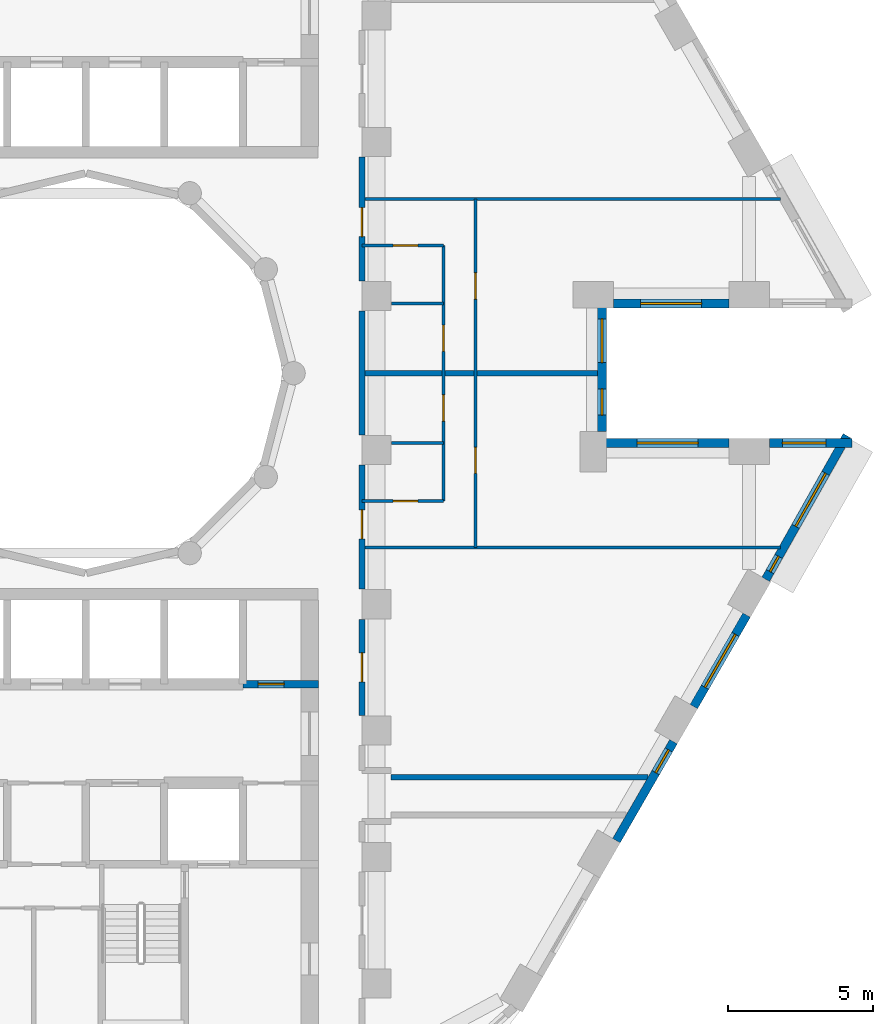
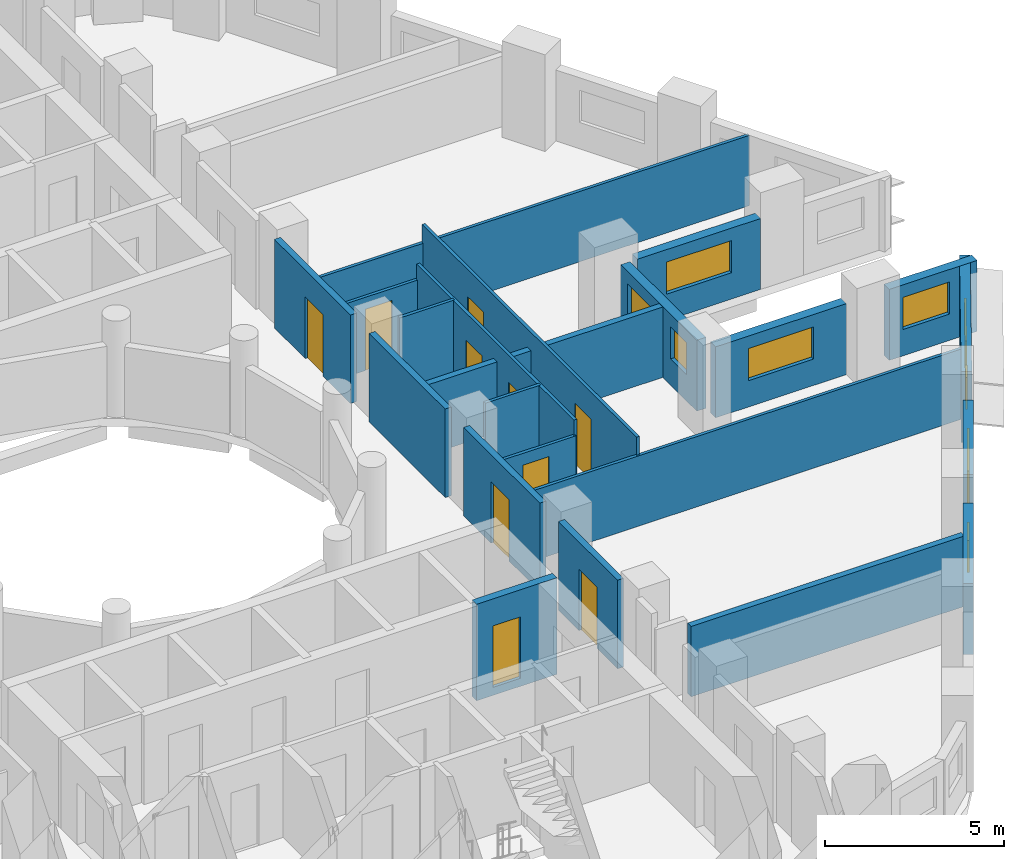
# One storey, part 6 of 12: 22 walls, 10 doors, 9 windows, 19 openings.
"""IFC4 building model written with IfcOpenShell, lengths in metres."""

from ifc_helpers import new_model, si_unit, direction, frame, frame_2d, origin, place, context, subcontext, project, spatial, rectangle, extrude, material, layer, layer_set, type_object, element, fill, save


model = new_model("IFC4")

# Units and contexts
model_context = context("Model", 3, precision=1e-05, world=origin(), true_north=direction((0.0, 1.0)))
body_context = subcontext(model_context, "Body", "Model", "MODEL_VIEW")
ifc_project = project(units=[si_unit("LENGTHUNIT", "METRE"), si_unit("AREAUNIT", "SQUARE_METRE"), si_unit("VOLUMEUNIT", "CUBIC_METRE"), si_unit("PLANEANGLEUNIT", "RADIAN"), si_unit("MASSUNIT", "GRAM", prefix="KILO")], contexts=[model_context])

# Site, building, storey
site_placement = place(None, origin())
site = spatial("IfcSite", under=ifc_project, at=site_placement, CompositionType="ELEMENT")
building_placement = place(site_placement, origin())
building = spatial("IfcBuilding", under=site, at=building_placement, Name="Nakaniwa Court", CompositionType="ELEMENT")
storey_placement = place(building_placement, frame((0.0, 0.0, 90.89990234375)))
storey = spatial("IfcBuildingStorey", under=building, at=storey_placement, Name="L23", CompositionType="ELEMENT", Elevation=90.89990234375)

# Wall, opening, door
ifc_material_1 = material(Name="Acoustic double stud partition")
ifc_layer_1 = layer(ifc_material_1, 0.199951171875)
ifc_layer_set_1 = layer_set([ifc_layer_1], Name="Acoustic double stud partition")
wall_type_1 = type_object("IfcWallType", Name="Acoustic double stud partition 200", PredefinedType="PARTITIONING", material=ifc_layer_set_1)
wall_1_placement = place(storey_placement, frame((89.5, 71.532958984375, 0.0), z_axis=(0.0, 0.0, 1.0), x_axis=(0.0, -1.0, 0.0)))
wall_1 = element("IfcWall", 1, at=wall_1_placement, inside=storey, type_object=wall_type_1, Name="Partition PW-073", PredefinedType="PARTITIONING", context=body_context, shape_type="SweptSolid", body=[
    extrude(rectangle(XDim=3.31591796875, YDim=0.199951171875, at=frame_2d((1.657958984375, 0.0))), origin(), (0.0, 0.0, 1.0), 3.025146484375),
])
opening_1_placement = place(wall_1_placement, frame((1.157958984375, 0.0, 0.0)))
opening_1 = element("IfcOpeningElement", 2, at=opening_1_placement, cuts=wall_1, Name="Opening D-02-02", PredefinedType="OPENING", context=body_context, shape_type="SweptSolid", body=[
    extrude(rectangle(XDim=1.0, YDim=2.10009765625, at=frame_2d((0.5, 1.050048828125))), frame((0.0, 0.10986328125, 0.0), z_axis=(0.0, -1.0, 0.0), x_axis=(1.0, 0.0, 0.0)), (0.0, 0.0, 1.0), 0.219970703125),
])
ifc_material_2 = material(Name="Solid core timber door set, black veneer", Category="wood")
door_type_1 = type_object("IfcDoorType", Name="Internal door 1000", OperationType="NOTDEFINED", PredefinedType="DOOR", material=ifc_material_2)
door_1_placement = place(opening_1_placement, origin())
door_1 = element("IfcDoor", 3, at=door_1_placement, inside=storey, type_object=door_type_1, Name="Door D-02-02 L23-028", OperationType="SINGLE_SWING_LEFT", OverallHeight=2.10009765625, OverallWidth=1.0, PredefinedType="DOOR", context=body_context, shape_type="SweptSolid", body=[
    extrude(rectangle(XDim=1.0, YDim=2.10009765625, at=frame_2d((0.5, 1.050048828125))), frame((0.0, 0.02490234375, 0.0), z_axis=(0.0, -1.0, 0.0), x_axis=(1.0, 0.0, 0.0)), (0.0, 0.0, 1.0), 0.050048828125),
])
fill(opening_1, door_1)

wall_2_placement = place(storey_placement, frame((89.5, 76.8330078125, 0.0), z_axis=(0.0, 0.0, 1.0), x_axis=(0.0, -1.0, 0.0)))
wall_2 = element("IfcWall", 4, at=wall_2_placement, inside=storey, type_object=wall_type_1, Name="Partition PW-074", PredefinedType="PARTITIONING", context=body_context, shape_type="SweptSolid", body=[
    extrude(rectangle(XDim=4.26611328125, YDim=0.199951171875, at=frame_2d((2.133056640625, 0.0))), origin(), (0.0, 0.0, 1.0), 3.025146484375),
])
opening_2_placement = place(wall_2_placement, frame((1.532958984375, 0.0, 0.0)))
opening_2 = element("IfcOpeningElement", 5, at=opening_2_placement, cuts=wall_2, Name="Opening D-01-01", PredefinedType="OPENING", context=body_context, shape_type="SweptSolid", body=[
    extrude(rectangle(XDim=1.0, YDim=2.10009765625, at=frame_2d((0.5, 1.050048828125))), frame((0.0, 0.10986328125, 0.0), z_axis=(0.0, -1.0, 0.0), x_axis=(1.0, 0.0, 0.0)), (0.0, 0.0, 1.0), 0.219970703125),
])
door_type_2 = type_object("IfcDoorType", Name="Flat entrance door 1000", OperationType="NOTDEFINED", PredefinedType="DOOR", material=ifc_material_2)
door_2_placement = place(opening_2_placement, origin())
door_2 = element("IfcDoor", 6, at=door_2_placement, inside=storey, type_object=door_type_2, Name="Door D-01-01 L23-029", OperationType="SINGLE_SWING_RIGHT", OverallHeight=2.10009765625, OverallWidth=1.0, PredefinedType="DOOR", context=body_context, shape_type="SweptSolid", body=[
    extrude(rectangle(XDim=1.0, YDim=2.10009765625, at=frame_2d((0.5, 1.050048828125))), frame((0.0, 0.02490234375, 0.0), z_axis=(0.0, -1.0, 0.0), x_axis=(1.0, 0.0, 0.0)), (0.0, 0.0, 1.0), 0.050048828125),
])
fill(opening_2, door_2)

# Wall
wall_3_placement = place(storey_placement, frame((89.5, 77.866943359375, 0.0), z_axis=(0.0, 0.0, 1.0), x_axis=(0.0, 1.0, 0.0)))
element("IfcWall", 7, at=wall_3_placement, inside=storey, type_object=wall_type_1, Name="Partition PW-075", PredefinedType="PARTITIONING", context=body_context, shape_type="SweptSolid", body=[
    extrude(rectangle(XDim=4.26611328125, YDim=0.199951171875, at=frame_2d((2.133056640625, 0.0))), origin(), (0.0, 0.0, 1.0), 3.025146484375),
])

# Wall, opening, door
wall_4_placement = place(storey_placement, frame((89.5, 87.43310546875, 0.0), z_axis=(0.0, 0.0, 1.0), x_axis=(0.0, -1.0, 0.0)))
wall_4 = element("IfcWall", 8, at=wall_4_placement, inside=storey, type_object=wall_type_1, Name="Partition PW-076", PredefinedType="PARTITIONING", context=body_context, shape_type="SweptSolid", body=[
    extrude(rectangle(XDim=4.26611328125, YDim=0.199951171875, at=frame_2d((2.133056640625, 0.0))), origin(), (0.0, 0.0, 1.0), 3.025146484375),
])
opening_3_placement = place(wall_4_placement, frame((1.73291015625, 0.0, 0.0)))
opening_3 = element("IfcOpeningElement", 9, at=opening_3_placement, cuts=wall_4, Name="Opening D-01-02", PredefinedType="OPENING", context=body_context, shape_type="SweptSolid", body=[
    extrude(rectangle(XDim=1.0, YDim=2.10009765625, at=frame_2d((0.5, 1.050048828125))), frame((0.0, 0.10986328125, 0.0), z_axis=(0.0, -1.0, 0.0), x_axis=(1.0, 0.0, 0.0)), (0.0, 0.0, 1.0), 0.219970703125),
])
door_3_placement = place(opening_3_placement, origin())
door_3 = element("IfcDoor", 10, at=door_3_placement, inside=storey, type_object=door_type_2, Name="Door D-01-02 L23-033", OperationType="SINGLE_SWING_RIGHT", OverallHeight=2.10009765625, OverallWidth=1.0, PredefinedType="DOOR", context=body_context, shape_type="SweptSolid", body=[
    extrude(rectangle(XDim=1.0, YDim=2.10009765625, at=frame_2d((0.5, 1.050048828125))), frame((0.0, 0.02490234375, 0.0), z_axis=(0.0, -1.0, 0.0), x_axis=(1.0, 0.0, 0.0)), (0.0, 0.0, 1.0), 0.050048828125),
])
fill(opening_3, door_3)

# Walls
wall_5_placement = place(storey_placement, frame((90.5, 66.10009765625, 0.0), z_axis=(0.0, 0.0, 1.0), x_axis=(1.0, 0.0, 0.0)))
element("IfcWall", 11, at=wall_5_placement, inside=storey, type_object=wall_type_1, Name="Partition PW-094", PredefinedType="PARTITIONING", context=body_context, shape_type="SweptSolid", body=[
    extrude(rectangle(XDim=8.84130859375, YDim=0.199951171875, at=frame_2d((4.420654296875, 0.0))), origin(), (0.0, 0.0, 1.0), 2.405029296875),
])
wall_6_placement = place(storey_placement, frame((89.5, 80.0, 0.0), z_axis=(0.0, 0.0, 1.0), x_axis=(1.0, 0.0, 0.0)))
element("IfcWall", 12, at=wall_6_placement, inside=storey, type_object=wall_type_1, Name="Partition PW-111", PredefinedType="PARTITIONING", context=body_context, shape_type="SweptSolid", body=[
    extrude(rectangle(XDim=8.1083984375, YDim=0.199951171875, at=frame_2d((4.05419921875, 0.0))), origin(), (0.0, 0.0, 1.0), 2.405029296875),
])

# Wall, opening, window
ifc_material_3 = material(Name="Charcoal ceramic cladding")
ifc_layer_2 = layer(ifc_material_3, 0.02, Name="Ceramic cladding")
ifc_material_4 = material(Name="Ventilated air cavity")
ifc_layer_3 = layer(ifc_material_4, 0.04, ventilated=True, Name="Ventilated cavity")
ifc_material_5 = material(Name="Mineral wool insulation")
ifc_layer_4 = layer(ifc_material_5, 0.1, Name="Insulation")
ifc_material_6 = material(Name="Cement bonded sheathing board")
ifc_layer_5 = layer(ifc_material_6, 0.012, Name="Sheathing")
ifc_material_7 = material(Name="Cold-formed galvanised stud frame with mineral wool infill")
ifc_layer_6 = layer(ifc_material_7, 0.1, Name="Stud frame")
ifc_material_8 = material(Name="Fire-rated gypsum plasterboard lining")
ifc_layer_7 = layer(ifc_material_8, 0.028, Name="Lining")
ifc_layer_set_2 = layer_set([ifc_layer_2, ifc_layer_3, ifc_layer_4, ifc_layer_5, ifc_layer_6, ifc_layer_7], Name="Charcoal ceramic faced external wall system")
wall_type_2 = type_object("IfcWallType", Name="Black ceramic faced external wall 300", PredefinedType="SOLIDWALL", material=ifc_layer_set_2)
wall_7_placement = place(storey_placement, frame((98.154296875, 82.39990234375, 0.0), z_axis=(0.0, 0.0, 1.0), x_axis=(1.0, 0.0, 0.0)))
wall_7 = element("IfcWall", 13, at=wall_7_placement, inside=storey, type_object=wall_type_2, Name="L23 external wall 00", PredefinedType="SOLIDWALL", context=body_context, shape_type="SweptSolid", body=[
    extrude(rectangle(XDim=3.97265625, YDim=0.300048828125, at=frame_2d((1.986328125, 0.0))), origin(), (0.0, 0.0, 1.0), 2.425048828125),
])
opening_4_placement = place(wall_7_placement, frame((0.936279296875, 0.0, 0.89990234375)))
opening_4 = element("IfcOpeningElement", 14, at=opening_4_placement, cuts=wall_7, Name="Opening W7.01", PredefinedType="OPENING", context=body_context, shape_type="SweptSolid", body=[
    extrude(rectangle(XDim=2.10009765625, YDim=1.10009765625, at=frame_2d((1.050048828125, 0.550048828125))), frame((0.0, 0.159912109375, 0.0), z_axis=(0.0, -1.0, 0.0), x_axis=(1.0, 0.0, 0.0)), (0.0, 0.0, 1.0), 0.320068359375),
])
ifc_material_9 = material(Name="Black anodised aluminium frame with dark low-E laminated double glazing", Category="aluminium")
window_type_1 = type_object("IfcWindowType", Name="Dark glass window 2100x1100 sill 900", PartitioningType="SINGLE_PANEL", PredefinedType="WINDOW", material=ifc_material_9)
window_1_placement = place(opening_4_placement, origin())
window_1 = element("IfcWindow", 15, at=window_1_placement, inside=storey, type_object=window_type_1, Name="L23 living window 00-0", OverallHeight=1.10009765625, OverallWidth=2.10009765625, PartitioningType="SINGLE_PANEL", PredefinedType="WINDOW", context=body_context, shape_type="SweptSolid", body=[
    extrude(rectangle(XDim=2.10009765625, YDim=1.10009765625, at=frame_2d((1.050048828125, 0.550048828125))), frame((0.0, 0.030029296875, 0.0), z_axis=(0.0, -1.0, 0.0), x_axis=(1.0, 0.0, 0.0)), (0.0, 0.0, 1.0), 0.06005859375),
])
fill(opening_4, window_1)

wall_8_placement = place(storey_placement, frame((98.25341796875, 63.91552734375, 0.0), z_axis=(0.0, 0.0, 1.0), x_axis=(0.499957037901, 0.866050206543, 0.0)))
wall_8 = element("IfcWall", 16, at=wall_8_placement, inside=storey, type_object=wall_type_2, Name="L23 external wall 30", PredefinedType="SOLIDWALL", context=body_context, shape_type="SweptSolid", body=[
    extrude(rectangle(XDim=3.933837890625, YDim=0.300048828125, at=frame_2d((1.966796875, 0.0))), origin(), (0.0, 0.0, 1.0), 2.425048828125),
])
opening_5_placement = place(wall_8_placement, frame((2.7041015625, 0.0, 0.89990234375)))
opening_5 = element("IfcOpeningElement", 17, at=opening_5_placement, cuts=wall_8, Name="Opening W9.34", PredefinedType="OPENING", context=body_context, shape_type="SweptSolid", body=[
    extrude(rectangle(XDim=0.89990234375, YDim=1.10009765625, at=frame_2d((0.449951171875, 0.550048828125))), frame((0.0, 0.159912109375, 0.0), z_axis=(0.0, -1.0, 0.0), x_axis=(1.0, 0.0, 0.0)), (0.0, 0.0, 1.0), 0.320068359375),
])
window_type_2 = type_object("IfcWindowType", Name="Dark glass window 900x1100 sill 900", PartitioningType="SINGLE_PANEL", PredefinedType="WINDOW", material=ifc_material_9)
window_2_placement = place(opening_5_placement, origin())
window_2 = element("IfcWindow", 18, at=window_2_placement, inside=storey, type_object=window_type_2, Name="L23 habitable room window 30-2", OverallHeight=1.10009765625, OverallWidth=0.89990234375, PartitioningType="SINGLE_PANEL", PredefinedType="WINDOW", context=body_context, shape_type="SweptSolid", body=[
    extrude(rectangle(XDim=0.89990234375, YDim=1.10009765625, at=frame_2d((0.449951171875, 0.550048828125))), frame((0.0, 0.030029296875, 0.0), z_axis=(0.0, -1.0, 0.0), x_axis=(1.0, 0.0, 0.0)), (0.0, 0.0, 1.0), 0.06005859375),
])
fill(opening_5, window_2)

wall_9_placement = place(storey_placement, frame((100.916259765625, 68.528076171875, 0.0), z_axis=(0.0, 0.0, 1.0), x_axis=(0.500009139881, 0.866020126807, 0.0)))
wall_9 = element("IfcWall", 19, at=wall_9_placement, inside=storey, type_object=wall_type_2, Name="L23 external wall 31", PredefinedType="SOLIDWALL", context=body_context, shape_type="SweptSolid", body=[
    extrude(rectangle(XDim=3.63671875, YDim=0.300048828125, at=frame_2d((1.818359375, 0.0))), origin(), (0.0, 0.0, 1.0), 2.425048828125),
])
opening_6_placement = place(wall_9_placement, frame((0.768310546875, 0.0, 0.89990234375)))
opening_6 = element("IfcOpeningElement", 20, at=opening_6_placement, cuts=wall_9, Name="Opening W7.35", PredefinedType="OPENING", context=body_context, shape_type="SweptSolid", body=[
    extrude(rectangle(XDim=2.10009765625, YDim=1.10009765625, at=frame_2d((1.050048828125, 0.550048828125))), frame((0.0, 0.159912109375, 0.0), z_axis=(0.0, -1.0, 0.0), x_axis=(1.0, 0.0, 0.0)), (0.0, 0.0, 1.0), 0.320068359375),
])
window_3_placement = place(opening_6_placement, origin())
window_3 = element("IfcWindow", 21, at=window_3_placement, inside=storey, type_object=window_type_1, Name="L23 habitable room window 31-0", OverallHeight=1.10009765625, OverallWidth=2.10009765625, PartitioningType="SINGLE_PANEL", PredefinedType="WINDOW", context=body_context, shape_type="SweptSolid", body=[
    extrude(rectangle(XDim=2.10009765625, YDim=1.10009765625, at=frame_2d((1.050048828125, 0.550048828125))), frame((0.0, 0.030029296875, 0.0), z_axis=(0.0, -1.0, 0.0), x_axis=(1.0, 0.0, 0.0)), (0.0, 0.0, 1.0), 0.06005859375),
])
fill(opening_6, window_3)

# Wall, openings, windows
wall_10_placement = place(storey_placement, frame((103.390625, 72.90625, 0.0), z_axis=(0.0, 0.0, 1.0), x_axis=(0.492456858874, 0.870336855561, 0.0)))
wall_10 = element("IfcWall", 22, at=wall_10_placement, inside=storey, type_object=wall_type_2, Name="L23 external wall 32", PredefinedType="SOLIDWALL", context=body_context, shape_type="SweptSolid", body=[
    extrude(rectangle(XDim=5.676513671875, YDim=0.300048828125, at=frame_2d((2.83837890625, 0.0))), origin(), (0.0, 0.0, 1.0), 2.425048828125),
])
opening_7_placement = place(wall_10_placement, frame((0.305419921875, 0.0, 0.89990234375)))
opening_7 = element("IfcOpeningElement", 23, at=opening_7_placement, cuts=wall_10, Name="Opening W8.36", PredefinedType="OPENING", context=body_context, shape_type="SweptSolid", body=[
    extrude(rectangle(XDim=0.60009765625, YDim=1.10009765625, at=frame_2d((0.300048828125, 0.550048828125))), frame((0.0, 0.159912109375, 0.0), z_axis=(0.0, -1.0, 0.0), x_axis=(1.0, 0.0, 0.0)), (0.0, 0.0, 1.0), 0.320068359375),
])
opening_8_placement = place(wall_10_placement, frame((2.092529296875, 0.0, 0.89990234375)))
opening_8 = element("IfcOpeningElement", 24, at=opening_8_placement, cuts=wall_10, Name="Opening W7.37", PredefinedType="OPENING", context=body_context, shape_type="SweptSolid", body=[
    extrude(rectangle(XDim=2.10009765625, YDim=1.10009765625, at=frame_2d((1.050048828125, 0.550048828125))), frame((0.0, 0.159912109375, 0.0), z_axis=(0.0, -1.0, 0.0), x_axis=(1.0, 0.0, 0.0)), (0.0, 0.0, 1.0), 0.320068359375),
])
window_4_placement = place(opening_8_placement, origin())
window_4 = element("IfcWindow", 25, at=window_4_placement, inside=storey, type_object=window_type_1, Name="L23 living window 32-1", OverallHeight=1.10009765625, OverallWidth=2.10009765625, PartitioningType="SINGLE_PANEL", PredefinedType="WINDOW", context=body_context, shape_type="SweptSolid", body=[
    extrude(rectangle(XDim=2.10009765625, YDim=1.10009765625, at=frame_2d((1.050048828125, 0.550048828125))), frame((0.0, 0.030029296875, 0.0), z_axis=(0.0, -1.0, 0.0), x_axis=(1.0, 0.0, 0.0)), (0.0, 0.0, 1.0), 0.06005859375),
])
fill(opening_8, window_4)
window_type_3 = type_object("IfcWindowType", Name="Dark glass window 600x1100 sill 900", PartitioningType="SINGLE_PANEL", PredefinedType="WINDOW", material=ifc_material_9)
window_5_placement = place(opening_7_placement, origin())
window_5 = element("IfcWindow", 26, at=window_5_placement, inside=storey, type_object=window_type_3, Name="L23 habitable room window 32-0", OverallHeight=1.10009765625, OverallWidth=0.60009765625, PartitioningType="SINGLE_PANEL", PredefinedType="WINDOW", context=body_context, shape_type="SweptSolid", body=[
    extrude(rectangle(XDim=0.60009765625, YDim=1.10009765625, at=frame_2d((0.300048828125, 0.550048828125))), frame((0.0, 0.030029296875, 0.0), z_axis=(0.0, -1.0, 0.0), x_axis=(1.0, 0.0, 0.0)), (0.0, 0.0, 1.0), 0.06005859375),
])
fill(opening_7, window_5)

# Wall, opening, window
wall_11_placement = place(storey_placement, frame((106.356689453125, 77.60009765625, 0.0), z_axis=(0.0, 0.0, 1.0), x_axis=(-1.0, 0.0, 0.0)))
wall_11 = element("IfcWall", 27, at=wall_11_placement, inside=storey, type_object=wall_type_2, Name="L23 external wall 33", PredefinedType="SOLIDWALL", context=body_context, shape_type="SweptSolid", body=[
    extrude(rectangle(XDim=2.837890625, YDim=0.300048828125, at=frame_2d((1.4189453125, 0.0))), origin(), (0.0, 0.0, 1.0), 2.425048828125),
])
opening_9_placement = place(wall_11_placement, frame((0.893798828125, 0.0, 0.89990234375)))
opening_9 = element("IfcOpeningElement", 28, at=opening_9_placement, cuts=wall_11, Name="Opening W5.38", PredefinedType="OPENING", context=body_context, shape_type="SweptSolid", body=[
    extrude(rectangle(XDim=1.5, YDim=1.10009765625, at=frame_2d((0.75, 0.550048828125))), frame((0.0, 0.159912109375, 0.0), z_axis=(0.0, -1.0, 0.0), x_axis=(1.0, 0.0, 0.0)), (0.0, 0.0, 1.0), 0.320068359375),
])
window_type_4 = type_object("IfcWindowType", Name="Dark glass window 1500x1100 sill 900", PartitioningType="SINGLE_PANEL", PredefinedType="WINDOW", material=ifc_material_9)
window_6_placement = place(opening_9_placement, origin())
window_6 = element("IfcWindow", 29, at=window_6_placement, inside=storey, type_object=window_type_4, Name="L23 living window 33-0", OverallHeight=1.10009765625, OverallWidth=1.5, PartitioningType="SINGLE_PANEL", PredefinedType="WINDOW", context=body_context, shape_type="SweptSolid", body=[
    extrude(rectangle(XDim=1.5, YDim=1.10009765625, at=frame_2d((0.75, 0.550048828125))), frame((0.0, 0.030029296875, 0.0), z_axis=(0.0, -1.0, 0.0), x_axis=(1.0, 0.0, 0.0)), (0.0, 0.0, 1.0), 0.06005859375),
])
fill(opening_9, window_6)

wall_12_placement = place(storey_placement, frame((102.126953125, 77.60009765625, 0.0), z_axis=(0.0, 0.0, 1.0), x_axis=(-1.0, 0.0, 0.0)))
wall_12 = element("IfcWall", 30, at=wall_12_placement, inside=storey, type_object=wall_type_2, Name="L23 external wall 34", PredefinedType="SOLIDWALL", context=body_context, shape_type="SweptSolid", body=[
    extrude(rectangle(XDim=4.22265625, YDim=0.300048828125, at=frame_2d((2.111328125, 0.0))), origin(), (0.0, 0.0, 1.0), 2.425048828125),
])
opening_10_placement = place(wall_12_placement, frame((1.061279296875, 0.0, 0.89990234375)))
opening_10 = element("IfcOpeningElement", 31, at=opening_10_placement, cuts=wall_12, Name="Opening W7.39", PredefinedType="OPENING", context=body_context, shape_type="SweptSolid", body=[
    extrude(rectangle(XDim=2.10009765625, YDim=1.10009765625, at=frame_2d((1.050048828125, 0.550048828125))), frame((0.0, 0.159912109375, 0.0), z_axis=(0.0, -1.0, 0.0), x_axis=(1.0, 0.0, 0.0)), (0.0, 0.0, 1.0), 0.320068359375),
])
window_7_placement = place(opening_10_placement, origin())
window_7 = element("IfcWindow", 32, at=window_7_placement, inside=storey, type_object=window_type_1, Name="L23 living window 34-0", OverallHeight=1.10009765625, OverallWidth=2.10009765625, PartitioningType="SINGLE_PANEL", PredefinedType="WINDOW", context=body_context, shape_type="SweptSolid", body=[
    extrude(rectangle(XDim=2.10009765625, YDim=1.10009765625, at=frame_2d((1.050048828125, 0.550048828125))), frame((0.0, 0.030029296875, 0.0), z_axis=(0.0, -1.0, 0.0), x_axis=(1.0, 0.0, 0.0)), (0.0, 0.0, 1.0), 0.06005859375),
])
fill(opening_10, window_7)

# Wall, openings, windows
wall_13_placement = place(storey_placement, frame((97.75830078125, 77.99609375, 0.0), z_axis=(0.0, 0.0, 1.0), x_axis=(0.0, 1.0, 0.0)))
wall_13 = element("IfcWall", 33, at=wall_13_placement, inside=storey, type_object=wall_type_2, Name="L23 external wall 35", PredefinedType="SOLIDWALL", context=body_context, shape_type="SweptSolid", body=[
    extrude(rectangle(XDim=4.2578125, YDim=0.300048828125, at=frame_2d((2.12890625, 0.0))), origin(), (0.0, 0.0, 1.0), 2.425048828125),
])
opening_11_placement = place(wall_13_placement, frame((0.56396484375, 0.0, 0.89990234375)))
opening_11 = element("IfcOpeningElement", 34, at=opening_11_placement, cuts=wall_13, Name="Opening W9.40", PredefinedType="OPENING", context=body_context, shape_type="SweptSolid", body=[
    extrude(rectangle(XDim=0.89990234375, YDim=1.10009765625, at=frame_2d((0.449951171875, 0.550048828125))), frame((0.0, 0.159912109375, 0.0), z_axis=(0.0, -1.0, 0.0), x_axis=(1.0, 0.0, 0.0)), (0.0, 0.0, 1.0), 0.320068359375),
])
opening_12_placement = place(wall_13_placement, frame((2.368896484375, 0.0, 0.89990234375)))
opening_12 = element("IfcOpeningElement", 35, at=opening_12_placement, cuts=wall_13, Name="Opening W5.41", PredefinedType="OPENING", context=body_context, shape_type="SweptSolid", body=[
    extrude(rectangle(XDim=1.5, YDim=1.10009765625, at=frame_2d((0.75, 0.550048828125))), frame((0.0, 0.159912109375, 0.0), z_axis=(0.0, -1.0, 0.0), x_axis=(1.0, 0.0, 0.0)), (0.0, 0.0, 1.0), 0.320068359375),
])
window_8_placement = place(opening_12_placement, origin())
window_8 = element("IfcWindow", 36, at=window_8_placement, inside=storey, type_object=window_type_4, Name="L23 living window 35-1", OverallHeight=1.10009765625, OverallWidth=1.5, PartitioningType="SINGLE_PANEL", PredefinedType="WINDOW", context=body_context, shape_type="SweptSolid", body=[
    extrude(rectangle(XDim=1.5, YDim=1.10009765625, at=frame_2d((0.75, 0.550048828125))), frame((0.0, 0.030029296875, 0.0), z_axis=(0.0, -1.0, 0.0), x_axis=(1.0, 0.0, 0.0)), (0.0, 0.0, 1.0), 0.06005859375),
])
fill(opening_12, window_8)
window_9_placement = place(opening_11_placement, origin())
window_9 = element("IfcWindow", 37, at=window_9_placement, inside=storey, type_object=window_type_2, Name="L23 living window 35-0", OverallHeight=1.10009765625, OverallWidth=0.89990234375, PartitioningType="SINGLE_PANEL", PredefinedType="WINDOW", context=body_context, shape_type="SweptSolid", body=[
    extrude(rectangle(XDim=0.89990234375, YDim=1.10009765625, at=frame_2d((0.449951171875, 0.550048828125))), frame((0.0, 0.030029296875, 0.0), z_axis=(0.0, -1.0, 0.0), x_axis=(1.0, 0.0, 0.0)), (0.0, 0.0, 1.0), 0.06005859375),
])
fill(opening_11, window_9)

# Wall, opening, door
ifc_material_10 = material(Name="Concrete C80/100", Category="concrete")
ifc_layer_8 = layer(ifc_material_10, 0.25)
ifc_layer_set_3 = layer_set([ifc_layer_8], Name="Concrete C80/100")
wall_type_3 = type_object("IfcWallType", Name="Concrete shaft wall 250 C80", PredefinedType="SHEAR", material=ifc_layer_set_3)
wall_14_placement = place(storey_placement, frame((85.39990234375, 69.300048828125, -0.27490234375), z_axis=(0.0, 0.0, 1.0), x_axis=(1.0, 0.0, 0.0)))
wall_14 = element("IfcWall", 38, at=wall_14_placement, inside=storey, type_object=wall_type_3, Name="Core wall SW-48", PredefinedType="SHEAR", context=body_context, shape_type="SweptSolid", body=[
    extrude(rectangle(XDim=2.60009765625, YDim=0.25, at=frame_2d((1.300048828125, 0.0))), origin(), (0.0, 0.0, 1.0), 3.300048828125),
])
opening_13_placement = place(wall_14_placement, frame((0.52490234375, 0.0, 0.27490234375)))
opening_13 = element("IfcOpeningElement", 39, at=opening_13_placement, cuts=wall_14, Name="Opening D-05-10", PredefinedType="OPENING", context=body_context, shape_type="SweptSolid", body=[
    extrude(rectangle(XDim=0.89990234375, YDim=2.10009765625, at=frame_2d((0.449951171875, 1.050048828125))), frame((0.0, 0.135009765625, 0.0), z_axis=(0.0, -1.0, 0.0), x_axis=(1.0, 0.0, 0.0)), (0.0, 0.0, 1.0), 0.27001953125),
])
ifc_material_11 = material(Name="Fire rated steel door set", Category="steel")
door_type_3 = type_object("IfcDoorType", Name="Service room door 900", OperationType="NOTDEFINED", PredefinedType="DOOR", material=ifc_material_11)
door_4_placement = place(opening_13_placement, origin())
door_4 = element("IfcDoor", 40, at=door_4_placement, inside=storey, type_object=door_type_3, Name="Door D-05-10 L23-015", OperationType="SINGLE_SWING_RIGHT", OverallHeight=2.10009765625, OverallWidth=0.89990234375, PredefinedType="DOOR", context=body_context, shape_type="SweptSolid", body=[
    extrude(rectangle(XDim=0.89990234375, YDim=2.10009765625, at=frame_2d((0.449951171875, 1.050048828125))), frame((0.0, 0.02490234375, 0.0), z_axis=(0.0, -1.0, 0.0), x_axis=(1.0, 0.0, 0.0)), (0.0, 0.0, 1.0), 0.050048828125),
])
fill(opening_13, door_4)

# Walls
ifc_material_12 = material(Name="Single stud plasterboard partition")
ifc_layer_9 = layer(ifc_material_12, 0.10009765625)
ifc_layer_set_4 = layer_set([ifc_layer_9], Name="Single stud plasterboard partition")
wall_type_4 = type_object("IfcWallType", Name="Single stud plasterboard partition 100", PredefinedType="PARTITIONING", material=ifc_layer_set_4)
wall_15_placement = place(storey_placement, frame((89.5, 74.0, 0.0), z_axis=(0.0, 0.0, 1.0), x_axis=(1.0, 0.0, 0.0)))
element("IfcWall", 41, at=wall_15_placement, inside=storey, type_object=wall_type_4, Name="Partition PW-107", PredefinedType="PARTITIONING", context=body_context, shape_type="SweptSolid", body=[
    extrude(rectangle(XDim=14.40234375, YDim=0.10009765625, at=frame_2d((7.201171875, 0.0))), origin(), (0.0, 0.0, 1.0), 2.405029296875),
])
wall_16_placement = place(storey_placement, frame((90.52001953125, 77.60009765625, 0.0), z_axis=(0.0, 0.0, 1.0), x_axis=(1.0, 0.0, 0.0)))
element("IfcWall", 42, at=wall_16_placement, inside=storey, type_object=wall_type_4, Name="Partition PW-108", PredefinedType="PARTITIONING", context=body_context, shape_type="SweptSolid", body=[
    extrude(rectangle(XDim=1.780029296875, YDim=0.10009765625, at=frame_2d((0.89013671875, 0.0))), origin(), (0.0, 0.0, 1.0), 3.025146484375),
])

# Wall, opening, door
wall_17_placement = place(storey_placement, frame((89.5, 75.60009765625, 0.0), z_axis=(0.0, 0.0, 1.0), x_axis=(1.0, 0.0, 0.0)))
wall_17 = element("IfcWall", 43, at=wall_17_placement, inside=storey, type_object=wall_type_4, Name="Partition PW-109", PredefinedType="PARTITIONING", context=body_context, shape_type="SweptSolid", body=[
    extrude(rectangle(XDim=2.800048828125, YDim=0.10009765625, at=frame_2d((1.39990234375, 0.0))), origin(), (0.0, 0.0, 1.0), 2.505126953125),
])
opening_14_placement = place(wall_17_placement, frame((1.074951171875, 0.0, 0.0)))
opening_14 = element("IfcOpeningElement", 44, at=opening_14_placement, cuts=wall_17, Name="Opening D-03-01", PredefinedType="OPENING", context=body_context, shape_type="SweptSolid", body=[
    extrude(rectangle(XDim=0.85009765625, YDim=2.10009765625, at=frame_2d((0.425048828125, 1.050048828125))), frame((0.0, 0.06005859375, 0.0), z_axis=(0.0, -1.0, 0.0), x_axis=(1.0, 0.0, 0.0)), (0.0, 0.0, 1.0), 0.1201171875),
])
ifc_material_13 = material(Name="Moisture sealed timber door set", Category="wood")
door_type_4 = type_object("IfcDoorType", Name="Bathroom door 850", OperationType="NOTDEFINED", PredefinedType="DOOR", material=ifc_material_13)
door_5_placement = place(opening_14_placement, origin())
door_5 = element("IfcDoor", 45, at=door_5_placement, inside=storey, type_object=door_type_4, Name="Door D-03-01 L23-030", OperationType="SINGLE_SWING_LEFT", OverallHeight=2.10009765625, OverallWidth=0.85009765625, PredefinedType="DOOR", context=body_context, shape_type="SweptSolid", body=[
    extrude(rectangle(XDim=0.85009765625, YDim=2.10009765625, at=frame_2d((0.425048828125, 1.050048828125))), frame((0.0, 0.02490234375, 0.0), z_axis=(0.0, -1.0, 0.0), x_axis=(1.0, 0.0, 0.0)), (0.0, 0.0, 1.0), 0.050048828125),
])
fill(opening_14, door_5)

# Wall, openings, doors
wall_18_placement = place(storey_placement, frame((92.300048828125, 75.60009765625, 0.0), z_axis=(0.0, 0.0, 1.0), x_axis=(0.0, 1.0, 0.0)))
wall_18 = element("IfcWall", 46, at=wall_18_placement, inside=storey, type_object=wall_type_4, Name="Partition PW-110", PredefinedType="PARTITIONING", context=body_context, shape_type="SweptSolid", body=[
    extrude(rectangle(XDim=8.7998046875, YDim=0.10009765625, at=frame_2d((4.39990234375, 0.0))), origin(), (0.0, 0.0, 1.0), 3.025146484375),
])
opening_15_placement = place(wall_18_placement, frame((2.75, 0.0, 0.0)))
opening_15 = element("IfcOpeningElement", 47, at=opening_15_placement, cuts=wall_18, Name="Opening D-33-01", PredefinedType="OPENING", context=body_context, shape_type="SweptSolid", body=[
    extrude(rectangle(XDim=0.89990234375, YDim=2.10009765625, at=frame_2d((0.449951171875, 1.050048828125))), frame((0.0, 0.06005859375, 0.0), z_axis=(0.0, -1.0, 0.0), x_axis=(1.0, 0.0, 0.0)), (0.0, 0.0, 1.0), 0.1201171875),
])
opening_16_placement = place(wall_18_placement, frame((5.14990234375, 0.0, 0.0)))
opening_16 = element("IfcOpeningElement", 48, at=opening_16_placement, cuts=wall_18, Name="Opening D-33-03", PredefinedType="OPENING", context=body_context, shape_type="SweptSolid", body=[
    extrude(rectangle(XDim=0.89990234375, YDim=2.10009765625, at=frame_2d((0.449951171875, 1.050048828125))), frame((0.0, 0.06005859375, 0.0), z_axis=(0.0, -1.0, 0.0), x_axis=(1.0, 0.0, 0.0)), (0.0, 0.0, 1.0), 0.1201171875),
])
door_type_5 = type_object("IfcDoorType", Name="Internal door 900", OperationType="NOTDEFINED", PredefinedType="DOOR", material=ifc_material_2)
door_6_placement = place(opening_15_placement, origin())
door_6 = element("IfcDoor", 49, at=door_6_placement, inside=storey, type_object=door_type_5, Name="Door D-33-01 L23-031", OperationType="SINGLE_SWING_RIGHT", OverallHeight=2.10009765625, OverallWidth=0.89990234375, PredefinedType="DOOR", context=body_context, shape_type="SweptSolid", body=[
    extrude(rectangle(XDim=0.89990234375, YDim=2.10009765625, at=frame_2d((0.449951171875, 1.050048828125))), frame((0.0, 0.02490234375, 0.0), z_axis=(0.0, -1.0, 0.0), x_axis=(1.0, 0.0, 0.0)), (0.0, 0.0, 1.0), 0.050048828125),
])
fill(opening_15, door_6)
door_7_placement = place(opening_16_placement, origin())
door_7 = element("IfcDoor", 50, at=door_7_placement, inside=storey, type_object=door_type_5, Name="Door D-33-03 L23-034", OperationType="SINGLE_SWING_LEFT", OverallHeight=2.10009765625, OverallWidth=0.89990234375, PredefinedType="DOOR", context=body_context, shape_type="SweptSolid", body=[
    extrude(rectangle(XDim=0.89990234375, YDim=2.10009765625, at=frame_2d((0.449951171875, 1.050048828125))), frame((0.0, 0.02490234375, 0.0), z_axis=(0.0, -1.0, 0.0), x_axis=(1.0, 0.0, 0.0)), (0.0, 0.0, 1.0), 0.050048828125),
])
fill(opening_16, door_7)

wall_19_placement = place(storey_placement, frame((93.39990234375, 86.0, 0.0), z_axis=(0.0, 0.0, 1.0), x_axis=(0.0, -1.0, 0.0)))
wall_19 = element("IfcWall", 51, at=wall_19_placement, inside=storey, type_object=wall_type_4, Name="Partition PW-112", PredefinedType="PARTITIONING", context=body_context, shape_type="SweptSolid", body=[
    extrude(rectangle(XDim=12.0, YDim=0.10009765625, at=frame_2d((6.0, 0.0))), origin(), (0.0, 0.0, 1.0), 3.025146484375),
])
opening_17_placement = place(wall_19_placement, frame((8.550048828125, 0.0, 0.0)))
opening_17 = element("IfcOpeningElement", 52, at=opening_17_placement, cuts=wall_19, Name="Opening D-33-02", PredefinedType="OPENING", context=body_context, shape_type="SweptSolid", body=[
    extrude(rectangle(XDim=0.89990234375, YDim=2.10009765625, at=frame_2d((0.449951171875, 1.050048828125))), frame((0.0, 0.06005859375, 0.0), z_axis=(0.0, -1.0, 0.0), x_axis=(1.0, 0.0, 0.0)), (0.0, 0.0, 1.0), 0.1201171875),
])
opening_18_placement = place(wall_19_placement, frame((2.550048828125, 0.0, 0.0)))
opening_18 = element("IfcOpeningElement", 53, at=opening_18_placement, cuts=wall_19, Name="Opening D-33-04", PredefinedType="OPENING", context=body_context, shape_type="SweptSolid", body=[
    extrude(rectangle(XDim=0.89990234375, YDim=2.10009765625, at=frame_2d((0.449951171875, 1.050048828125))), frame((0.0, 0.06005859375, 0.0), z_axis=(0.0, -1.0, 0.0), x_axis=(1.0, 0.0, 0.0)), (0.0, 0.0, 1.0), 0.1201171875),
])
door_8_placement = place(opening_17_placement, origin())
door_8 = element("IfcDoor", 54, at=door_8_placement, inside=storey, type_object=door_type_5, Name="Door D-33-02 L23-032", OperationType="SINGLE_SWING_LEFT", OverallHeight=2.10009765625, OverallWidth=0.89990234375, PredefinedType="DOOR", context=body_context, shape_type="SweptSolid", body=[
    extrude(rectangle(XDim=0.89990234375, YDim=2.10009765625, at=frame_2d((0.449951171875, 1.050048828125))), frame((0.0, 0.02490234375, 0.0), z_axis=(0.0, -1.0, 0.0), x_axis=(1.0, 0.0, 0.0)), (0.0, 0.0, 1.0), 0.050048828125),
])
fill(opening_17, door_8)
door_9_placement = place(opening_18_placement, origin())
door_9 = element("IfcDoor", 55, at=door_9_placement, inside=storey, type_object=door_type_5, Name="Door D-33-04 L23-036", OperationType="SINGLE_SWING_LEFT", OverallHeight=2.10009765625, OverallWidth=0.89990234375, PredefinedType="DOOR", context=body_context, shape_type="SweptSolid", body=[
    extrude(rectangle(XDim=0.89990234375, YDim=2.10009765625, at=frame_2d((0.449951171875, 1.050048828125))), frame((0.0, 0.02490234375, 0.0), z_axis=(0.0, -1.0, 0.0), x_axis=(1.0, 0.0, 0.0)), (0.0, 0.0, 1.0), 0.050048828125),
])
fill(opening_18, door_9)

# Wall
wall_20_placement = place(storey_placement, frame((90.52001953125, 82.39990234375, 0.0), z_axis=(0.0, 0.0, 1.0), x_axis=(1.0, 0.0, 0.0)))
element("IfcWall", 56, at=wall_20_placement, inside=storey, type_object=wall_type_4, Name="Partition PW-113", PredefinedType="PARTITIONING", context=body_context, shape_type="SweptSolid", body=[
    extrude(rectangle(XDim=1.780029296875, YDim=0.10009765625, at=frame_2d((0.89013671875, 0.0))), origin(), (0.0, 0.0, 1.0), 3.025146484375),
])

# Wall, opening, door
wall_21_placement = place(storey_placement, frame((92.300048828125, 84.39990234375, 0.0), z_axis=(0.0, 0.0, 1.0), x_axis=(-1.0, 0.0, 0.0)))
wall_21 = element("IfcWall", 57, at=wall_21_placement, inside=storey, type_object=wall_type_4, Name="Partition PW-114", PredefinedType="PARTITIONING", context=body_context, shape_type="SweptSolid", body=[
    extrude(rectangle(XDim=2.800048828125, YDim=0.10009765625, at=frame_2d((1.39990234375, 0.0))), origin(), (0.0, 0.0, 1.0), 2.505126953125),
])
opening_19_placement = place(wall_21_placement, frame((0.875, 0.0, 0.0)))
opening_19 = element("IfcOpeningElement", 58, at=opening_19_placement, cuts=wall_21, Name="Opening D-03-02", PredefinedType="OPENING", context=body_context, shape_type="SweptSolid", body=[
    extrude(rectangle(XDim=0.85009765625, YDim=2.10009765625, at=frame_2d((0.425048828125, 1.050048828125))), frame((0.0, 0.06005859375, 0.0), z_axis=(0.0, -1.0, 0.0), x_axis=(1.0, 0.0, 0.0)), (0.0, 0.0, 1.0), 0.1201171875),
])
door_10_placement = place(opening_19_placement, origin())
door_10 = element("IfcDoor", 59, at=door_10_placement, inside=storey, type_object=door_type_4, Name="Door D-03-02 L23-035", OperationType="SINGLE_SWING_RIGHT", OverallHeight=2.10009765625, OverallWidth=0.85009765625, PredefinedType="DOOR", context=body_context, shape_type="SweptSolid", body=[
    extrude(rectangle(XDim=0.85009765625, YDim=2.10009765625, at=frame_2d((0.425048828125, 1.050048828125))), frame((0.0, 0.02490234375, 0.0), z_axis=(0.0, -1.0, 0.0), x_axis=(1.0, 0.0, 0.0)), (0.0, 0.0, 1.0), 0.050048828125),
])
fill(opening_19, door_10)

# Wall
wall_22_placement = place(storey_placement, frame((89.5, 86.0, 0.0), z_axis=(0.0, 0.0, 1.0), x_axis=(1.0, 0.0, 0.0)))
element("IfcWall", 60, at=wall_22_placement, inside=storey, type_object=wall_type_4, Name="Partition PW-115", PredefinedType="PARTITIONING", context=body_context, shape_type="SweptSolid", body=[
    extrude(rectangle(XDim=14.40234375, YDim=0.10009765625, at=frame_2d((7.201171875, 0.0))), origin(), (0.0, 0.0, 1.0), 2.405029296875),
])

save(model, "model.ifc")
